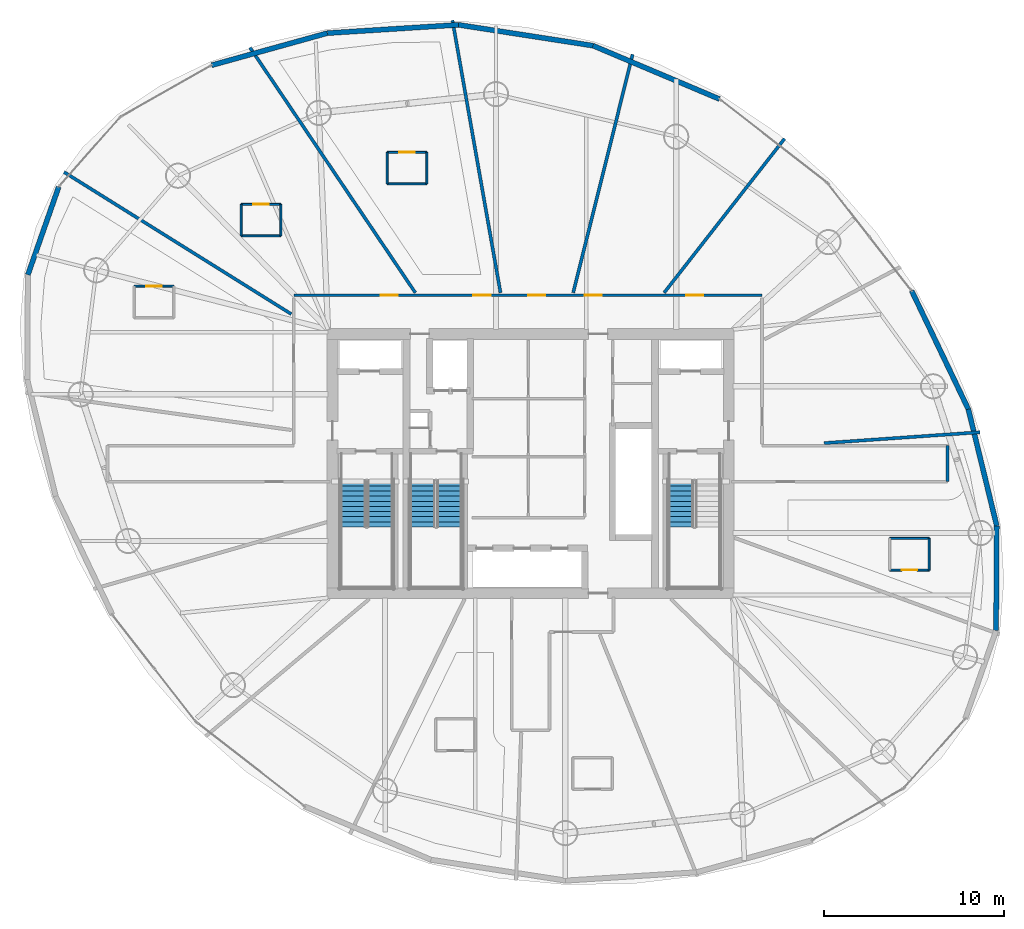
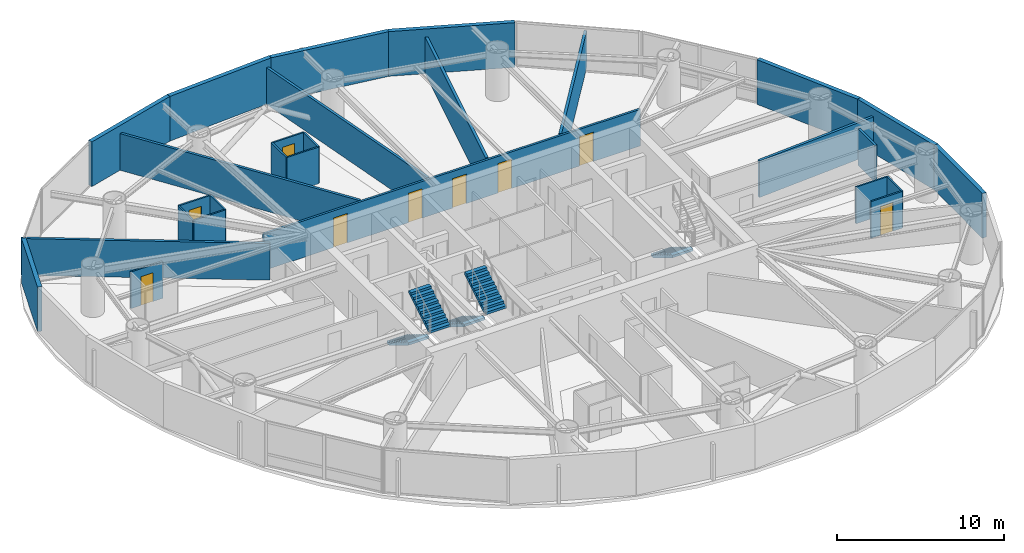
# One storey, part 16 of 20: 28 walls, 9 doors, 5 stair flights, 9 openings, 3 elements without a shape of their own.
"""IFC4 building model written with IfcOpenShell, lengths in metres."""

from ifc_helpers import new_model, si_unit, direction, frame, frame_2d, origin, place, context, subcontext, project, spatial, polyline, rectangle, outline, extrude, material, layer, layer_set, type_object, element, fill, aggregate, save


model = new_model("IFC4")

# Units and contexts
model_context = context("Model", 3, precision=1e-05, world=origin(), true_north=direction((0.0, 1.0)))
body_context = subcontext(model_context, "Body", "Model", "MODEL_VIEW")
ifc_project = project(units=[si_unit("LENGTHUNIT", "METRE"), si_unit("AREAUNIT", "SQUARE_METRE"), si_unit("VOLUMEUNIT", "CUBIC_METRE"), si_unit("PLANEANGLEUNIT", "RADIAN"), si_unit("MASSUNIT", "GRAM", prefix="KILO")], contexts=[model_context])

# Site, building, storey
site_placement = place(None, origin())
site = spatial("IfcSite", under=ifc_project, at=site_placement, CompositionType="ELEMENT")
building_placement = place(site_placement, origin())
building = spatial("IfcBuilding", under=site, at=building_placement, Name="Bramvorn Convention Spire", CompositionType="ELEMENT")
storey_placement = place(building_placement, frame((0.0, 0.0, 151.800048828125)))
storey = spatial("IfcBuildingStorey", under=building, at=storey_placement, Name="L38", CompositionType="ELEMENT", Elevation=151.800048828125)

# Walls
ifc_material_1 = material(Name="Precast Concrete C40/50 with Bronze Terracotta Rainscreen", Category="masonry")
ifc_layer_1 = layer(ifc_material_1, 0.300048828125)
ifc_layer_set_1 = layer_set([ifc_layer_1], Name="Precast Concrete C40/50 with Bronze Terracotta Rainscreen - WL-EXT-BRONZE-300")
wall_type_1 = type_object("IfcWallType", Name="WL-EXT-BRONZE-300", PredefinedType="SOLIDWALL", material=ifc_layer_set_1)
wall_1_placement = place(storey_placement, frame((63.881591796875, 22.546630859375, 0.0), z_axis=(0.0, 0.0, 1.0), x_axis=(-0.006247519482, -0.99998048406, 0.0)))
element("IfcWall", 1, at=wall_1_placement, inside=storey, type_object=wall_type_1, Name="L38 expressed bronze Gothic lancet pier wall 02", PredefinedType="SOLIDWALL", context=body_context, shape_type="SweptSolid", body=[
    extrude(rectangle(XDim=5.822509765625, YDim=0.280029296875, at=frame_2d((2.9111328125, 0.0))), origin(), (0.0, 0.0, 1.0), 3.260009765625),
])
wall_2_placement = place(storey_placement, frame((62.304443359375, 29.0224609375, 0.0), z_axis=(0.0, 0.0, 1.0), x_axis=(0.236627302203, -0.971600493954, 0.0)))
element("IfcWall", 2, at=wall_2_placement, inside=storey, type_object=wall_type_1, Name="L38 expressed bronze Gothic lancet pier wall 03", PredefinedType="SOLIDWALL", context=body_context, shape_type="SweptSolid", body=[
    extrude(rectangle(XDim=6.6650390625, YDim=0.280029296875, at=frame_2d((3.33251953125, 0.0))), origin(), (0.0, 0.0, 1.0), 3.260009765625),
])
wall_3_placement = place(storey_placement, frame((59.156494140625, 35.599853515625, 0.0), z_axis=(0.0, 0.0, 1.0), x_axis=(0.431705455872, -0.902014633679, 0.0)))
element("IfcWall", 3, at=wall_3_placement, inside=storey, type_object=wall_type_1, Name="L38 expressed bronze Gothic lancet pier wall 04", PredefinedType="SOLIDWALL", context=body_context, shape_type="SweptSolid", body=[
    extrude(rectangle(XDim=7.2919921875, YDim=0.280029296875, at=frame_2d((3.64599609375, 0.0))), origin(), (0.0, 0.0, 1.0), 3.260009765625),
])
wall_4_placement = place(storey_placement, frame((41.468505859375, 49.2080078125, 0.0), z_axis=(0.0, 0.0, 1.0), x_axis=(0.921175021357, -0.38914853209, 0.0)))
element("IfcWall", 4, at=wall_4_placement, inside=storey, type_object=wall_type_1, Name="L38 expressed bronze Gothic lancet pier wall 07", PredefinedType="SOLIDWALL", context=body_context, shape_type="SweptSolid", body=[
    extrude(rectangle(XDim=7.617431640625, YDim=0.280029296875, at=frame_2d((3.80859375, 0.0))), origin(), (0.0, 0.0, 1.0), 3.260009765625),
])
wall_5_placement = place(storey_placement, frame((33.988525390625, 50.365966796875, 0.0), z_axis=(0.0, 0.0, 1.0), x_axis=(0.988228444801, -0.152985427041, 0.0)))
element("IfcWall", 5, at=wall_5_placement, inside=storey, type_object=wall_type_1, Name="L38 expressed bronze Gothic lancet pier wall 08", PredefinedType="SOLIDWALL", context=body_context, shape_type="SweptSolid", body=[
    extrude(rectangle(XDim=7.569091796875, YDim=0.280029296875, at=frame_2d((3.78466796875, 0.0))), origin(), (0.0, 0.0, 1.0), 3.260009765625),
])
wall_6_placement = place(storey_placement, frame((26.711181640625, 49.90478515625, 0.0), z_axis=(0.0, 0.0, 1.0), x_axis=(0.997998007076, 0.063245378266, 0.0)))
element("IfcWall", 6, at=wall_6_placement, inside=storey, type_object=wall_type_1, Name="L38 expressed bronze Gothic lancet pier wall 09", PredefinedType="SOLIDWALL", context=body_context, shape_type="SweptSolid", body=[
    extrude(rectangle(XDim=7.2919921875, YDim=0.280029296875, at=frame_2d((3.64599609375, 0.0))), origin(), (0.0, 0.0, 1.0), 3.260009765625),
])
wall_7_placement = place(storey_placement, frame((20.2890625, 48.122314453125, 0.0), z_axis=(0.0, 0.0, 1.0), x_axis=(0.963574041705, 0.267441706082, 0.0)))
element("IfcWall", 7, at=wall_7_placement, inside=storey, type_object=wall_type_1, Name="L38 expressed bronze Gothic lancet pier wall 10", PredefinedType="SOLIDWALL", context=body_context, shape_type="SweptSolid", body=[
    extrude(rectangle(XDim=6.664794921875, YDim=0.280029296875, at=frame_2d((3.33251953125, 0.0))), origin(), (0.0, 0.0, 1.0), 3.260009765625),
])
wall_8_placement = place(storey_placement, frame((10.084716796875, 36.490478515625, 0.0), z_axis=(0.0, 0.0, 1.0), x_axis=(0.330896813474, 0.943666942747, 0.0)))
element("IfcWall", 8, at=wall_8_placement, inside=storey, type_object=wall_type_1, Name="L38 expressed bronze Gothic lancet pier wall 13", PredefinedType="SOLIDWALL", context=body_context, shape_type="SweptSolid", body=[
    extrude(rectangle(XDim=5.17431640625, YDim=0.280029296875, at=frame_2d((2.587158203125, 0.0))), origin(), (0.0, 0.0, 1.0), 3.260009765625),
])
ifc_material_2 = material(Name="Lightweight En-Suite & Wet-Wall Partition", Category="gypsum")
ifc_layer_2 = layer(ifc_material_2, 0.110107421875)
ifc_layer_set_2 = layer_set([ifc_layer_2], Name="Lightweight En-Suite & Wet-Wall Partition - WL-PART-110")
wall_type_2 = type_object("IfcWallType", Name="WL-PART-110", PredefinedType="PARTITIONING", material=ifc_layer_set_2)
wall_9_placement = place(storey_placement, frame((30.033935546875, 41.528564453125, 0.0), z_axis=(0.0, 0.0, 1.0), x_axis=(1.0, 0.0, 0.0)))
element("IfcWall", 9, at=wall_9_placement, inside=storey, type_object=wall_type_2, Name="Hotel Suite 3805 en-suite south wall", PredefinedType="PARTITIONING", context=body_context, shape_type="SweptSolid", body=[
    extrude(rectangle(XDim=2.199951171875, YDim=0.110107421875, at=frame_2d((1.10009765625, 0.0))), origin(), (0.0, 0.0, 1.0), 2.675048828125),
])

# Wall, opening, door
wall_10_placement = place(storey_placement, frame((30.033935546875, 43.28857421875, 0.0), z_axis=(0.0, 0.0, 1.0), x_axis=(1.0, 0.0, 0.0)))
wall_10 = element("IfcWall", 10, at=wall_10_placement, inside=storey, type_object=wall_type_2, Name="Hotel Suite 3805 en-suite north wall", PredefinedType="PARTITIONING", context=body_context, shape_type="SweptSolid", body=[
    extrude(rectangle(XDim=2.199951171875, YDim=0.110107421875, at=frame_2d((1.10009765625, 0.0))), origin(), (0.0, 0.0, 1.0), 2.675048828125),
])
opening_1_placement = place(wall_10_placement, frame((0.679931640625, 0.0, 0.0)))
opening_1 = element("IfcOpeningElement", 11, at=opening_1_placement, cuts=wall_10, Name="Opening DI-085", PredefinedType="OPENING", context=body_context, shape_type="SweptSolid", body=[
    extrude(rectangle(XDim=0.85009765625, YDim=2.10009765625, at=frame_2d((0.425048828125, 1.050048828125))), frame((0.0, 0.06494140625, 0.0), z_axis=(0.0, -1.0, 0.0), x_axis=(1.0, 0.0, 0.0)), (0.0, 0.0, 1.0), 0.130126953125),
])
ifc_material_3 = material(Name="En-Suite & Restroom Privacy Door", Category="wood")
door_type_1 = type_object("IfcDoorType", Name="DR-INT-850", OperationType="NOTDEFINED", PredefinedType="DOOR", material=ifc_material_3)
door_1_placement = place(opening_1_placement, origin())
door_1 = element("IfcDoor", 12, at=door_1_placement, inside=storey, type_object=door_type_1, Name="Hotel Suite 3805 En-Suite Bathroom door", OperationType="SINGLE_SWING_LEFT", OverallHeight=2.10009765625, OverallWidth=0.85009765625, PredefinedType="DOOR", context=body_context, shape_type="SweptSolid", body=[
    extrude(rectangle(XDim=0.85009765625, YDim=2.10009765625, at=frame_2d((0.425048828125, 1.050048828125))), frame((0.0, 0.02490234375, 0.0), z_axis=(0.0, -1.0, 0.0), x_axis=(1.0, 0.0, 0.0)), (0.0, 0.0, 1.0), 0.050048828125),
])
fill(opening_1, door_1)

# Walls
for number, where, z_axis, x_axis, name in (
    (13, (30.033935546875, 41.528564453125, 0.0), (0.0, 0.0, 1.0), (0.0, 1.0, 0.0), "Hotel Suite 3805 en-suite west wall"),
    (14, (32.23388671875, 41.528564453125, 0.0), (0.0, 0.0, 1.0), (0.0, 1.0, 0.0), "Hotel Suite 3805 en-suite east wall"),
):
    element("IfcWall", number, at=place(storey_placement, frame(where, z_axis=z_axis, x_axis=x_axis)), inside=storey, type_object=wall_type_2, Name=name, PredefinedType="PARTITIONING", context=body_context, shape_type="SweptSolid", body=[
        extrude(rectangle(XDim=1.760009765625, YDim=0.110107421875, at=frame_2d((0.8798828125, 0.0))), origin(), (0.0, 0.0, 1.0), 2.675048828125),
    ])
wall_11_placement = place(storey_placement, frame((21.927490234375, 38.642578125, 0.0), z_axis=(0.0, 0.0, 1.0), x_axis=(1.0, 0.0, 0.0)))
element("IfcWall", 15, at=wall_11_placement, inside=storey, type_object=wall_type_2, Name="Hotel Suite 3806 en-suite south wall", PredefinedType="PARTITIONING", context=body_context, shape_type="SweptSolid", body=[
    extrude(rectangle(XDim=2.199951171875, YDim=0.110107421875, at=frame_2d((1.10009765625, 0.0))), origin(), (0.0, 0.0, 1.0), 2.675048828125),
])

# Wall, opening, door
wall_12_placement = place(storey_placement, frame((21.927490234375, 40.402587890625, 0.0), z_axis=(0.0, 0.0, 1.0), x_axis=(1.0, 0.0, 0.0)))
wall_12 = element("IfcWall", 16, at=wall_12_placement, inside=storey, type_object=wall_type_2, Name="Hotel Suite 3806 en-suite north wall", PredefinedType="PARTITIONING", context=body_context, shape_type="SweptSolid", body=[
    extrude(rectangle(XDim=2.199951171875, YDim=0.110107421875, at=frame_2d((1.10009765625, 0.0))), origin(), (0.0, 0.0, 1.0), 2.675048828125),
])
opening_2_placement = place(wall_12_placement, frame((0.679931640625, 0.0, 0.0)))
opening_2 = element("IfcOpeningElement", 17, at=opening_2_placement, cuts=wall_12, Name="Opening DI-085", PredefinedType="OPENING", context=body_context, shape_type="SweptSolid", body=[
    extrude(rectangle(XDim=0.85009765625, YDim=2.10009765625, at=frame_2d((0.425048828125, 1.050048828125))), frame((0.0, 0.06494140625, 0.0), z_axis=(0.0, -1.0, 0.0), x_axis=(1.0, 0.0, 0.0)), (0.0, 0.0, 1.0), 0.130126953125),
])
door_2_placement = place(opening_2_placement, origin())
door_2 = element("IfcDoor", 18, at=door_2_placement, inside=storey, type_object=door_type_1, Name="Hotel Suite 3806 En-Suite Bathroom door", OperationType="SINGLE_SWING_LEFT", OverallHeight=2.10009765625, OverallWidth=0.85009765625, PredefinedType="DOOR", context=body_context, shape_type="SweptSolid", body=[
    extrude(rectangle(XDim=0.85009765625, YDim=2.10009765625, at=frame_2d((0.425048828125, 1.050048828125))), frame((0.0, 0.02490234375, 0.0), z_axis=(0.0, -1.0, 0.0), x_axis=(1.0, 0.0, 0.0)), (0.0, 0.0, 1.0), 0.050048828125),
])
fill(opening_2, door_2)

# Walls
for number, where, z_axis, x_axis, name in (
    (19, (21.927490234375, 38.642578125, 0.0), (0.0, 0.0, 1.0), (0.0, 1.0, 0.0), "Hotel Suite 3806 en-suite west wall"),
    (20, (24.12744140625, 38.642578125, 0.0), (0.0, 0.0, 1.0), (0.0, 1.0, 0.0), "Hotel Suite 3806 en-suite east wall"),
):
    element("IfcWall", number, at=place(storey_placement, frame(where, z_axis=z_axis, x_axis=x_axis)), inside=storey, type_object=wall_type_2, Name=name, PredefinedType="PARTITIONING", context=body_context, shape_type="SweptSolid", body=[
        extrude(rectangle(XDim=1.760009765625, YDim=0.110107421875, at=frame_2d((0.8798828125, 0.0))), origin(), (0.0, 0.0, 1.0), 2.675048828125),
    ])

# Wall, opening, door
wall_13_placement = place(storey_placement, frame((15.98876953125, 35.856689453125, 0.0), z_axis=(0.0, 0.0, 1.0), x_axis=(1.0, 0.0, 0.0)))
wall_13 = element("IfcWall", 21, at=wall_13_placement, inside=storey, type_object=wall_type_2, Name="Hotel Suite 3807 en-suite north wall", PredefinedType="PARTITIONING", context=body_context, shape_type="SweptSolid", body=[
    extrude(rectangle(XDim=2.199951171875, YDim=0.110107421875, at=frame_2d((1.10009765625, 0.0))), origin(), (0.0, 0.0, 1.0), 2.675048828125),
])
opening_3_placement = place(wall_13_placement, frame((0.679931640625, 0.0, 0.0)))
opening_3 = element("IfcOpeningElement", 22, at=opening_3_placement, cuts=wall_13, Name="Opening DI-085", PredefinedType="OPENING", context=body_context, shape_type="SweptSolid", body=[
    extrude(rectangle(XDim=0.85009765625, YDim=2.10009765625, at=frame_2d((0.425048828125, 1.050048828125))), frame((0.0, 0.06494140625, 0.0), z_axis=(0.0, -1.0, 0.0), x_axis=(1.0, 0.0, 0.0)), (0.0, 0.0, 1.0), 0.130126953125),
])
door_3_placement = place(opening_3_placement, origin())
door_3 = element("IfcDoor", 23, at=door_3_placement, inside=storey, type_object=door_type_1, Name="Hotel Suite 3807 En-Suite Bathroom door", OperationType="SINGLE_SWING_LEFT", OverallHeight=2.10009765625, OverallWidth=0.85009765625, PredefinedType="DOOR", context=body_context, shape_type="SweptSolid", body=[
    extrude(rectangle(XDim=0.85009765625, YDim=2.10009765625, at=frame_2d((0.425048828125, 1.050048828125))), frame((0.0, 0.02490234375, 0.0), z_axis=(0.0, -1.0, 0.0), x_axis=(1.0, 0.0, 0.0)), (0.0, 0.0, 1.0), 0.050048828125),
])
fill(opening_3, door_3)

wall_14_placement = place(storey_placement, frame((57.9287109375, 20.09326171875, 0.0), z_axis=(0.0, 0.0, 1.0), x_axis=(1.0, 0.0, 0.0)))
wall_14 = element("IfcWall", 24, at=wall_14_placement, inside=storey, type_object=wall_type_2, Name="Hotel Suite 3815 en-suite south wall", PredefinedType="PARTITIONING", context=body_context, shape_type="SweptSolid", body=[
    extrude(rectangle(XDim=2.199951171875, YDim=0.110107421875, at=frame_2d((1.10009765625, 0.0))), origin(), (0.0, 0.0, 1.0), 2.675048828125),
])
opening_4_placement = place(wall_14_placement, frame((0.679931640625, 0.0, 0.0)))
opening_4 = element("IfcOpeningElement", 25, at=opening_4_placement, cuts=wall_14, Name="Opening DI-085", PredefinedType="OPENING", context=body_context, shape_type="SweptSolid", body=[
    extrude(rectangle(XDim=0.85009765625, YDim=2.10009765625, at=frame_2d((0.425048828125, 1.050048828125))), frame((0.0, 0.06494140625, 0.0), z_axis=(0.0, -1.0, 0.0), x_axis=(1.0, 0.0, 0.0)), (0.0, 0.0, 1.0), 0.130126953125),
])
door_4_placement = place(opening_4_placement, origin())
door_4 = element("IfcDoor", 26, at=door_4_placement, inside=storey, type_object=door_type_1, Name="Hotel Suite 3815 En-Suite Bathroom door", OperationType="SINGLE_SWING_LEFT", OverallHeight=2.10009765625, OverallWidth=0.85009765625, PredefinedType="DOOR", context=body_context, shape_type="SweptSolid", body=[
    extrude(rectangle(XDim=0.85009765625, YDim=2.10009765625, at=frame_2d((0.425048828125, 1.050048828125))), frame((0.0, 0.02490234375, 0.0), z_axis=(0.0, -1.0, 0.0), x_axis=(1.0, 0.0, 0.0)), (0.0, 0.0, 1.0), 0.050048828125),
])
fill(opening_4, door_4)

# Walls
wall_15_placement = place(storey_placement, frame((57.9287109375, 21.853271484375, 0.0), z_axis=(0.0, 0.0, 1.0), x_axis=(1.0, 0.0, 0.0)))
element("IfcWall", 27, at=wall_15_placement, inside=storey, type_object=wall_type_2, Name="Hotel Suite 3815 en-suite north wall", PredefinedType="PARTITIONING", context=body_context, shape_type="SweptSolid", body=[
    extrude(rectangle(XDim=2.199951171875, YDim=0.110107421875, at=frame_2d((1.10009765625, 0.0))), origin(), (0.0, 0.0, 1.0), 2.675048828125),
])
wall_16_placement = place(storey_placement, frame((60.128662109375, 20.09326171875, 0.0), z_axis=(0.0, 0.0, 1.0), x_axis=(0.0, 1.0, 0.0)))
element("IfcWall", 28, at=wall_16_placement, inside=storey, type_object=wall_type_2, Name="Hotel Suite 3815 en-suite east wall", PredefinedType="PARTITIONING", context=body_context, shape_type="SweptSolid", body=[
    extrude(rectangle(XDim=1.760009765625, YDim=0.110107421875, at=frame_2d((0.8798828125, 0.0))), origin(), (0.0, 0.0, 1.0), 2.675048828125),
])

# Wall, openings, doors
ifc_material_4 = material(Name="Acoustic Metal-Stud Tenant/Corridor Partition", Category="gypsum")
ifc_layer_3 = layer(ifc_material_4, 0.14990234375)
ifc_layer_set_3 = layer_set([ifc_layer_3], Name="Acoustic Metal-Stud Tenant/Corridor Partition - WL-PART-150")
wall_type_3 = type_object("IfcWallType", Name="WL-PART-150", PredefinedType="PARTITIONING", material=ifc_layer_set_3)
wall_17_placement = place(storey_placement, frame((24.85009765625, 35.35009765625, 0.0), z_axis=(0.0, 0.0, 1.0), x_axis=(1.0, 0.0, 0.0)))
wall_17 = element("IfcWall", 29, at=wall_17_placement, inside=storey, type_object=wall_type_3, Name="L38 North gallery wall", PredefinedType="PARTITIONING", context=body_context, shape_type="SweptSolid", body=[
    extrude(rectangle(XDim=26.0, YDim=0.14990234375, at=frame_2d((13.0, 0.0))), origin(), (0.0, 0.0, 1.0), 2.675048828125),
])
opening_5_placement = place(wall_17_placement, frame((21.7890625, 0.0, 0.0)))
opening_5 = element("IfcOpeningElement", 30, at=opening_5_placement, cuts=wall_17, Name="Opening DH-095", PredefinedType="OPENING", context=body_context, shape_type="SweptSolid", body=[
    extrude(rectangle(XDim=0.949951171875, YDim=2.14990234375, at=frame_2d((0.47509765625, 1.074951171875))), frame((0.0, 0.0849609375, 0.0), z_axis=(0.0, -1.0, 0.0), x_axis=(1.0, 0.0, 0.0)), (0.0, 0.0, 1.0), 0.169921875),
])
opening_6_placement = place(wall_17_placement, frame((16.1513671875, 0.0, 0.0)))
opening_6 = element("IfcOpeningElement", 31, at=opening_6_placement, cuts=wall_17, Name="Opening DH-095", PredefinedType="OPENING", context=body_context, shape_type="SweptSolid", body=[
    extrude(rectangle(XDim=0.949951171875, YDim=2.14990234375, at=frame_2d((0.47509765625, 1.074951171875))), frame((0.0, 0.0849609375, 0.0), z_axis=(0.0, -1.0, 0.0), x_axis=(1.0, 0.0, 0.0)), (0.0, 0.0, 1.0), 0.169921875),
])
opening_7_placement = place(wall_17_placement, frame((13.0205078125, 0.0, 0.0)))
opening_7 = element("IfcOpeningElement", 32, at=opening_7_placement, cuts=wall_17, Name="Opening DH-095", PredefinedType="OPENING", context=body_context, shape_type="SweptSolid", body=[
    extrude(rectangle(XDim=0.949951171875, YDim=2.14990234375, at=frame_2d((0.47509765625, 1.074951171875))), frame((0.0, 0.0849609375, 0.0), z_axis=(0.0, -1.0, 0.0), x_axis=(1.0, 0.0, 0.0)), (0.0, 0.0, 1.0), 0.169921875),
])
opening_8_placement = place(wall_17_placement, frame((9.9716796875, 0.0, 0.0)))
opening_8 = element("IfcOpeningElement", 33, at=opening_8_placement, cuts=wall_17, Name="Opening DH-095", PredefinedType="OPENING", context=body_context, shape_type="SweptSolid", body=[
    extrude(rectangle(XDim=0.949951171875, YDim=2.14990234375, at=frame_2d((0.47509765625, 1.074951171875))), frame((0.0, 0.0849609375, 0.0), z_axis=(0.0, -1.0, 0.0), x_axis=(1.0, 0.0, 0.0)), (0.0, 0.0, 1.0), 0.169921875),
])
opening_9_placement = place(wall_17_placement, frame((4.819091796875, 0.0, 0.0)))
opening_9 = element("IfcOpeningElement", 34, at=opening_9_placement, cuts=wall_17, Name="Opening DH-095", PredefinedType="OPENING", context=body_context, shape_type="SweptSolid", body=[
    extrude(rectangle(XDim=0.949951171875, YDim=2.14990234375, at=frame_2d((0.47509765625, 1.074951171875))), frame((0.0, 0.0849609375, 0.0), z_axis=(0.0, -1.0, 0.0), x_axis=(1.0, 0.0, 0.0)), (0.0, 0.0, 1.0), 0.169921875),
])
ifc_material_5 = material(Name="Solid-Core Acoustic Guestroom Entry Door", Category="wood")
door_type_2 = type_object("IfcDoorType", Name="DR-HOTEL-950", OperationType="NOTDEFINED", PredefinedType="DOOR", material=ifc_material_5)
door_5_placement = place(opening_5_placement, origin())
door_5 = element("IfcDoor", 35, at=door_5_placement, inside=storey, type_object=door_type_2, Name="L38 Hospitality Lounge 2 door", OperationType="SINGLE_SWING_LEFT", OverallHeight=2.14990234375, OverallWidth=0.949951171875, PredefinedType="DOOR", context=body_context, shape_type="SweptSolid", body=[
    extrude(rectangle(XDim=0.949951171875, YDim=2.14990234375, at=frame_2d((0.47509765625, 1.074951171875))), frame((0.0, 0.02490234375, 0.0), z_axis=(0.0, -1.0, 0.0), x_axis=(1.0, 0.0, 0.0)), (0.0, 0.0, 1.0), 0.050048828125),
])
fill(opening_5, door_5)
door_6_placement = place(opening_6_placement, origin())
door_6 = element("IfcDoor", 36, at=door_6_placement, inside=storey, type_object=door_type_2, Name="L38 Hospitality Lounge 3 door", OperationType="SINGLE_SWING_RIGHT", OverallHeight=2.14990234375, OverallWidth=0.949951171875, PredefinedType="DOOR", context=body_context, shape_type="SweptSolid", body=[
    extrude(rectangle(XDim=0.949951171875, YDim=2.14990234375, at=frame_2d((0.47509765625, 1.074951171875))), frame((0.0, 0.02490234375, 0.0), z_axis=(0.0, -1.0, 0.0), x_axis=(1.0, 0.0, 0.0)), (0.0, 0.0, 1.0), 0.050048828125),
])
fill(opening_6, door_6)
door_7_placement = place(opening_7_placement, origin())
door_7 = element("IfcDoor", 37, at=door_7_placement, inside=storey, type_object=door_type_2, Name="L38 Hospitality Lounge 4 door", OperationType="SINGLE_SWING_LEFT", OverallHeight=2.14990234375, OverallWidth=0.949951171875, PredefinedType="DOOR", context=body_context, shape_type="SweptSolid", body=[
    extrude(rectangle(XDim=0.949951171875, YDim=2.14990234375, at=frame_2d((0.47509765625, 1.074951171875))), frame((0.0, 0.02490234375, 0.0), z_axis=(0.0, -1.0, 0.0), x_axis=(1.0, 0.0, 0.0)), (0.0, 0.0, 1.0), 0.050048828125),
])
fill(opening_7, door_7)
door_8_placement = place(opening_8_placement, origin())
door_8 = element("IfcDoor", 38, at=door_8_placement, inside=storey, type_object=door_type_2, Name="Hotel Suite 3805 entry door", OperationType="SINGLE_SWING_RIGHT", OverallHeight=2.14990234375, OverallWidth=0.949951171875, PredefinedType="DOOR", context=body_context, shape_type="SweptSolid", body=[
    extrude(rectangle(XDim=0.949951171875, YDim=2.14990234375, at=frame_2d((0.47509765625, 1.074951171875))), frame((0.0, 0.02490234375, 0.0), z_axis=(0.0, -1.0, 0.0), x_axis=(1.0, 0.0, 0.0)), (0.0, 0.0, 1.0), 0.050048828125),
])
fill(opening_8, door_8)
door_9_placement = place(opening_9_placement, origin())
door_9 = element("IfcDoor", 39, at=door_9_placement, inside=storey, type_object=door_type_2, Name="Hotel Suite 3806 entry door", OperationType="SINGLE_SWING_RIGHT", OverallHeight=2.14990234375, OverallWidth=0.949951171875, PredefinedType="DOOR", context=body_context, shape_type="SweptSolid", body=[
    extrude(rectangle(XDim=0.949951171875, YDim=2.14990234375, at=frame_2d((0.47509765625, 1.074951171875))), frame((0.0, 0.02490234375, 0.0), z_axis=(0.0, -1.0, 0.0), x_axis=(1.0, 0.0, 0.0)), (0.0, 0.0, 1.0), 0.050048828125),
])
fill(opening_9, door_9)

# Walls
wall_18_placement = place(storey_placement, frame((61.1494140625, 25.0, 0.0), z_axis=(0.0, 0.0, 1.0), x_axis=(0.0, 1.0, 0.0)))
element("IfcWall", 40, at=wall_18_placement, inside=storey, type_object=wall_type_3, Name="L38 East wing spine end wall", PredefinedType="PARTITIONING", context=body_context, shape_type="SweptSolid", body=[
    extrude(rectangle(XDim=2.0, YDim=0.14990234375, at=frame_2d((1.0, 0.0))), origin(), (0.0, 0.0, 1.0), 2.675048828125),
])
ifc_material_6 = material(Name="Double-Stud Acoustic Hotel/Suite Partition", Category="gypsum")
ifc_layer_4 = layer(ifc_material_6, 0.175048828125)
ifc_layer_set_4 = layer_set([ifc_layer_4], Name="Double-Stud Acoustic Hotel/Suite Partition - WL-PART-175")
wall_type_4 = type_object("IfcWallType", Name="WL-PART-175", PredefinedType="PARTITIONING", material=ifc_layer_set_4)
wall_19_placement = place(storey_placement, frame((54.302734375, 27.139892578125, 0.0), z_axis=(0.0, 0.0, 1.0), x_axis=(0.997563440147, 0.069765198221, 0.0)))
element("IfcWall", 41, at=wall_19_placement, inside=storey, type_object=wall_type_4, Name="L38 Guestroom demising wall 1", PredefinedType="PARTITIONING", context=body_context, shape_type="SweptSolid", body=[
    extrude(rectangle(XDim=8.66455078125, YDim=0.175048828125, at=frame_2d((4.332275390625, 0.0))), origin(), (0.0, 0.0, 1.0), 2.675048828125),
])
wall_20_placement = place(storey_placement, frame((45.414306640625, 35.489990234375, 0.0), z_axis=(0.0, 0.0, 1.0), x_axis=(0.615680241207, 0.787996091734, 0.0)))
element("IfcWall", 42, at=wall_20_placement, inside=storey, type_object=wall_type_4, Name="L38 Guestroom demising wall 3", PredefinedType="PARTITIONING", context=body_context, shape_type="SweptSolid", body=[
    extrude(rectangle(XDim=10.86279296875, YDim=0.175048828125, at=frame_2d((5.431396484375, 0.0))), origin(), (0.0, 0.0, 1.0), 2.675048828125),
])
wall_21_placement = place(storey_placement, frame((40.3662109375, 35.489990234375, 0.0), z_axis=(0.0, 0.0, 1.0), x_axis=(0.241912341909, 0.970298108229, 0.0)))
element("IfcWall", 43, at=wall_21_placement, inside=storey, type_object=wall_type_4, Name="L38 Guestroom demising wall 4", PredefinedType="PARTITIONING", context=body_context, shape_type="SweptSolid", body=[
    extrude(rectangle(XDim=13.6416015625, YDim=0.175048828125, at=frame_2d((6.82080078125, 0.0))), origin(), (0.0, 0.0, 1.0), 2.675048828125),
])
wall_22_placement = place(storey_placement, frame((36.32666015625, 35.489990234375, 0.0), z_axis=(0.0, 0.0, 1.0), x_axis=(-0.173653875216, 0.984806748364, 0.0)))
element("IfcWall", 44, at=wall_22_placement, inside=storey, type_object=wall_type_4, Name="L38 Guestroom demising wall 5", PredefinedType="PARTITIONING", context=body_context, shape_type="SweptSolid", body=[
    extrude(rectangle(XDim=15.3623046875, YDim=0.175048828125, at=frame_2d((7.68115234375, 0.0))), origin(), (0.0, 0.0, 1.0), 2.675048828125),
])
wall_23_placement = place(storey_placement, frame((31.598876953125, 35.489990234375, 0.0), z_axis=(0.0, 0.0, 1.0), x_axis=(-0.559190390753, 0.829039267399, 0.0)))
element("IfcWall", 45, at=wall_23_placement, inside=storey, type_object=wall_type_4, Name="L38 Guestroom demising wall 6", PredefinedType="PARTITIONING", context=body_context, shape_type="SweptSolid", body=[
    extrude(rectangle(XDim=16.419921875, YDim=0.175048828125, at=frame_2d((8.2099609375, 0.0))), origin(), (0.0, 0.0, 1.0), 2.675048828125),
])
wall_24_placement = place(storey_placement, frame((24.7099609375, 34.304443359375, 0.0), z_axis=(0.0, 0.0, 1.0), x_axis=(-0.848045288599, 0.529923757237, 0.0)))
element("IfcWall", 46, at=wall_24_placement, inside=storey, type_object=wall_type_4, Name="L38 Guestroom demising wall 7", PredefinedType="PARTITIONING", context=body_context, shape_type="SweptSolid", body=[
    extrude(rectangle(XDim=14.886962890625, YDim=0.175048828125, at=frame_2d((7.443359375, 0.0))), origin(), (0.0, 0.0, 1.0), 2.675048828125),
])

# Stair, stair flights
ifc_material_7 = material(Name="Concrete C40/50 Precast Stair", Category="concrete")
stair_type = type_object("IfcStairType", Name="ST-TOWER-1550", PredefinedType="HALF_TURN_STAIR", material=ifc_material_7)
stair_1_placement = place(storey_placement, origin())
stair_1 = element("IfcStair", 47, at=stair_1_placement, inside=storey, type_object=stair_type, Name="L38 Protected Exit Stair ST1", PredefinedType="HALF_TURN_STAIR")
ifc_material_8 = material(Name="Concrete C40/50 Precast Stair Flight", Category="concrete")
stair_flight_type = type_object("IfcStairFlightType", Name="STF-TOWER-1550", PredefinedType="STRAIGHT", material=ifc_material_8)
stair_flight_1_placement = place(storey_placement, frame((28.155029296875, 25.050048828125, 0.0), z_axis=(0.0, 0.0, 1.0), x_axis=(0.0, -1.0, 0.0)))
stair_flight_1 = element("IfcStairFlight", 48, at=stair_flight_1_placement, type_object=stair_flight_type, Name="ST1 flight 1", NumberOfRisers=10, NumberOfTreads=9, PredefinedType="STRAIGHT", RiserHeight=0.175, TreadLength=0.285, context=body_context, shape_type="SweptSolid", body=[
    extrude(outline(polyline([(0.0, 0.0), (0.0, 0.175048828125), (0.284912109375, 0.175048828125), (0.284912109375, 0.35009765625), (0.570068359375, 0.35009765625), (0.570068359375, 0.52490234375), (0.85498046875, 0.52490234375), (0.85498046875, 0.699951171875), (1.139892578125, 0.699951171875), (1.139892578125, 0.875), (1.425048828125, 0.875), (1.425048828125, 1.050048828125), (1.7099609375, 1.050048828125), (1.7099609375, 1.22509765625), (1.9951171875, 1.22509765625), (1.9951171875, 1.39990234375), (2.280029296875, 1.39990234375), (2.280029296875, 1.574951171875), (2.56494140625, 1.574951171875), (2.56494140625, 1.75), (2.56494140625, 1.399169921875), (0.286376953125, 0.0), (0.0, 0.0)])), frame((0.0, 0.705078125, 0.0), z_axis=(0.0, -1.0, 0.0), x_axis=(1.0, 0.0, 0.0)), (0.0, 0.0, 1.0), 1.409912109375),
])
stair_flight_2_placement = place(storey_placement, frame((29.64501953125, 22.485107421875, 1.75), z_axis=(0.0, 0.0, 1.0), x_axis=(0.0, 1.0, 0.0)))
stair_flight_2 = element("IfcStairFlight", 49, at=stair_flight_2_placement, type_object=stair_flight_type, Name="ST1 flight 2", NumberOfRisers=10, NumberOfTreads=9, PredefinedType="STRAIGHT", RiserHeight=0.175, TreadLength=0.285, context=body_context, shape_type="SweptSolid", body=[
    extrude(outline(polyline([(0.0, 0.0), (0.0, 0.175048828125), (0.284912109375, 0.175048828125), (0.284912109375, 0.35009765625), (0.570068359375, 0.35009765625), (0.570068359375, 0.52490234375), (0.85498046875, 0.52490234375), (0.85498046875, 0.699951171875), (1.139892578125, 0.699951171875), (1.139892578125, 0.875), (1.425048828125, 0.875), (1.425048828125, 1.050048828125), (1.7099609375, 1.050048828125), (1.7099609375, 1.22509765625), (1.9951171875, 1.22509765625), (1.9951171875, 1.39990234375), (2.280029296875, 1.39990234375), (2.280029296875, 1.574951171875), (2.56494140625, 1.574951171875), (2.56494140625, 1.75), (2.56494140625, 1.399169921875), (0.286376953125, 0.0), (0.0, 0.0)])), frame((0.0, 0.705078125, 0.0), z_axis=(0.0, -1.0, 0.0), x_axis=(1.0, 0.0, 0.0)), (0.0, 0.0, 1.0), 1.409912109375),
])
aggregate(stair_1, [stair_flight_1, stair_flight_2])

# Stair, stair flight
stair_2_placement = place(storey_placement, origin())
stair_2 = element("IfcStair", 50, at=stair_2_placement, inside=storey, type_object=stair_type, Name="L38 Protected Exit Stair ST2", PredefinedType="HALF_TURN_STAIR")
stair_flight_3_placement = place(storey_placement, frame((46.35498046875, 25.050048828125, 0.0), z_axis=(0.0, 0.0, 1.0), x_axis=(0.0, -1.0, 0.0)))
stair_flight_3 = element("IfcStairFlight", 51, at=stair_flight_3_placement, type_object=stair_flight_type, Name="ST2 flight 1", NumberOfRisers=10, NumberOfTreads=9, PredefinedType="STRAIGHT", RiserHeight=0.175, TreadLength=0.285, context=body_context, shape_type="SweptSolid", body=[
    extrude(outline(polyline([(0.0, 0.0), (0.0, 0.175048828125), (0.284912109375, 0.175048828125), (0.284912109375, 0.35009765625), (0.570068359375, 0.35009765625), (0.570068359375, 0.52490234375), (0.85498046875, 0.52490234375), (0.85498046875, 0.699951171875), (1.139892578125, 0.699951171875), (1.139892578125, 0.875), (1.425048828125, 0.875), (1.425048828125, 1.050048828125), (1.7099609375, 1.050048828125), (1.7099609375, 1.22509765625), (1.9951171875, 1.22509765625), (1.9951171875, 1.39990234375), (2.280029296875, 1.39990234375), (2.280029296875, 1.574951171875), (2.56494140625, 1.574951171875), (2.56494140625, 1.75), (2.56494140625, 1.399169921875), (0.286376953125, 0.0), (0.0, 0.0)])), frame((0.0, 0.705078125, 0.0), z_axis=(0.0, -1.0, 0.0), x_axis=(1.0, 0.0, 0.0)), (0.0, 0.0, 1.0), 1.409912109375),
])
aggregate(stair_2, [stair_flight_3])

# Stair, stair flights
stair_3_placement = place(storey_placement, origin())
stair_3 = element("IfcStair", 52, at=stair_3_placement, inside=storey, type_object=stair_type, Name="L38 Protected Exit Stair ST3", PredefinedType="HALF_TURN_STAIR")
stair_flight_4_placement = place(storey_placement, frame((32.0048828125, 25.050048828125, 0.0), z_axis=(0.0, 0.0, 1.0), x_axis=(0.0, -1.0, 0.0)))
stair_flight_4 = element("IfcStairFlight", 53, at=stair_flight_4_placement, type_object=stair_flight_type, Name="ST3 flight 1", NumberOfRisers=10, NumberOfTreads=9, PredefinedType="STRAIGHT", RiserHeight=0.175, TreadLength=0.285, context=body_context, shape_type="SweptSolid", body=[
    extrude(outline(polyline([(0.0, 0.0), (0.0, 0.175048828125), (0.284912109375, 0.175048828125), (0.284912109375, 0.35009765625), (0.570068359375, 0.35009765625), (0.570068359375, 0.52490234375), (0.85498046875, 0.52490234375), (0.85498046875, 0.699951171875), (1.139892578125, 0.699951171875), (1.139892578125, 0.875), (1.425048828125, 0.875), (1.425048828125, 1.050048828125), (1.7099609375, 1.050048828125), (1.7099609375, 1.22509765625), (1.9951171875, 1.22509765625), (1.9951171875, 1.39990234375), (2.280029296875, 1.39990234375), (2.280029296875, 1.574951171875), (2.56494140625, 1.574951171875), (2.56494140625, 1.75), (2.56494140625, 1.399169921875), (0.286376953125, 0.0), (0.0, 0.0)])), frame((0.0, 0.705078125, 0.0), z_axis=(0.0, -1.0, 0.0), x_axis=(1.0, 0.0, 0.0)), (0.0, 0.0, 1.0), 1.409912109375),
])
stair_flight_5_placement = place(storey_placement, frame((33.4951171875, 22.485107421875, 1.75), z_axis=(0.0, 0.0, 1.0), x_axis=(0.0, 1.0, 0.0)))
stair_flight_5 = element("IfcStairFlight", 54, at=stair_flight_5_placement, type_object=stair_flight_type, Name="ST3 flight 2", NumberOfRisers=10, NumberOfTreads=9, PredefinedType="STRAIGHT", RiserHeight=0.175, TreadLength=0.285, context=body_context, shape_type="SweptSolid", body=[
    extrude(outline(polyline([(0.0, 0.0), (0.0, 0.175048828125), (0.284912109375, 0.175048828125), (0.284912109375, 0.35009765625), (0.570068359375, 0.35009765625), (0.570068359375, 0.52490234375), (0.85498046875, 0.52490234375), (0.85498046875, 0.699951171875), (1.139892578125, 0.699951171875), (1.139892578125, 0.875), (1.425048828125, 0.875), (1.425048828125, 1.050048828125), (1.7099609375, 1.050048828125), (1.7099609375, 1.22509765625), (1.9951171875, 1.22509765625), (1.9951171875, 1.39990234375), (2.280029296875, 1.39990234375), (2.280029296875, 1.574951171875), (2.56494140625, 1.574951171875), (2.56494140625, 1.75), (2.56494140625, 1.399169921875), (0.286376953125, 0.0), (0.0, 0.0)])), frame((0.0, 0.705078125, 0.0), z_axis=(0.0, -1.0, 0.0), x_axis=(1.0, 0.0, 0.0)), (0.0, 0.0, 1.0), 1.409912109375),
])
aggregate(stair_3, [stair_flight_4, stair_flight_5])

save(model, "model.ifc")
